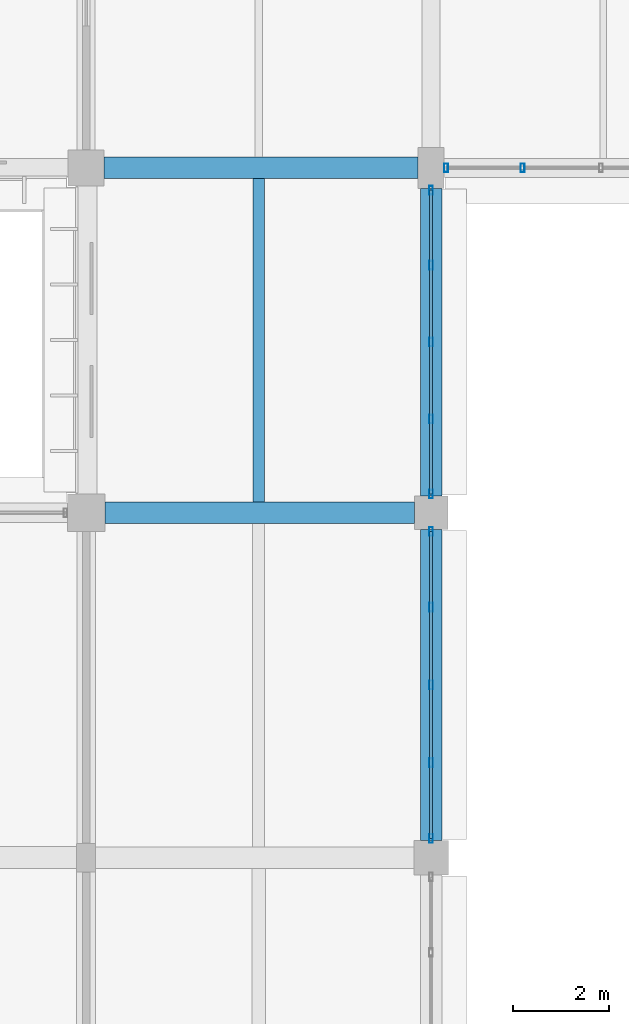
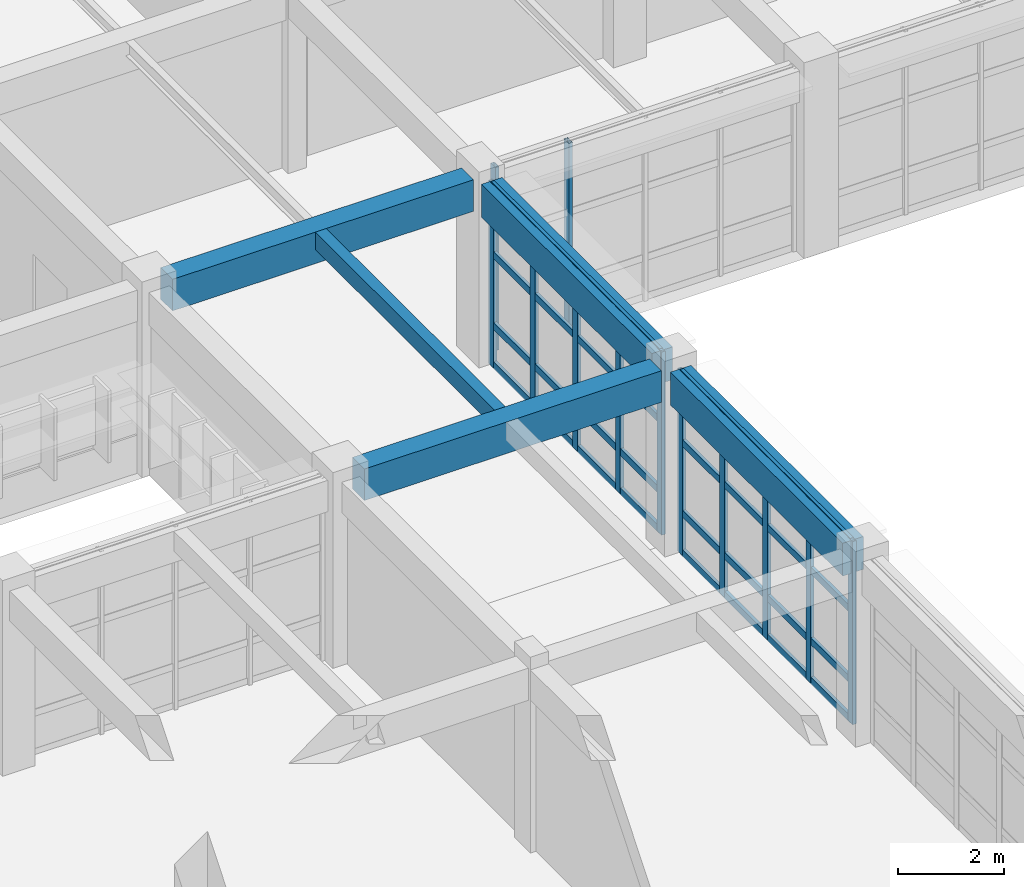
# One storey, part 53 of 171: 20 members, 5 beams, 3 elements without a shape of their own.
"""IFC4 building model written with IfcOpenShell, lengths in metres."""

from ifc_helpers import new_model, si_unit, direction, frame, origin, origin_2d, place, context, subcontext, project, spatial, rectangle, hollow_rectangle, extrude, material, material_profile, profile_set, type_object, element, aggregate, save


model = new_model("IFC4")

# Units and contexts
model_context = context("Model", 3, precision=1e-05, world=origin(), true_north=direction((0.0, 1.0)))
body_context = subcontext(model_context, "Body", "Model", "MODEL_VIEW")
ifc_project = project(units=[si_unit("LENGTHUNIT", "METRE"), si_unit("AREAUNIT", "SQUARE_METRE"), si_unit("VOLUMEUNIT", "CUBIC_METRE"), si_unit("PLANEANGLEUNIT", "RADIAN"), si_unit("MASSUNIT", "GRAM", prefix="KILO")], contexts=[model_context])

# Site, building, storey
site_placement = place(None, origin())
site = spatial("IfcSite", under=ifc_project, at=site_placement, CompositionType="ELEMENT")
building_placement = place(site_placement, origin())
building = spatial("IfcBuilding", under=site, at=building_placement, Name="Thalmaran Polytechnic", CompositionType="ELEMENT")
storey_placement = place(building_placement, frame((0.0, 0.0, 5.39990234375)))
storey = spatial("IfcBuildingStorey", under=building, at=storey_placement, Name="L01", CompositionType="ELEMENT", Elevation=5.39990234375)

# Beams
ifc_material_1 = material(Name="Concrete C40/50", Category="concrete")
ifc_material_profile_1 = material_profile(ifc_material_1, rectangle(XDim=0.449951171875, YDim=0.72509765625, at=origin_2d()), Name="RC 450x725")
ifc_profile_set_1 = profile_set([ifc_material_profile_1], Name="Concrete C40/50")
beam_type_1 = type_object("IfcBeamType", Name="BM-RC04", PredefinedType="BEAM", material=ifc_profile_set_1)
beam_1_placement = place(storey_placement, frame((14.7900390625, 86.39990234375, 3.84765625), z_axis=(1.0, 0.0, 0.0), x_axis=(0.0, 1.0, 0.0)))
element("IfcBeam", 1, at=beam_1_placement, inside=storey, type_object=beam_type_1, Name="Grid Beam B04 L01 X(2,12)", PredefinedType="BEAM", context=body_context, shape_type="SweptSolid", body=[
    extrude(rectangle(XDim=0.449951171875, YDim=0.72509765625, at=origin_2d()), origin(), (0.0, 0.0, 1.0), 6.4599609375),
])
beam_2_placement = place(storey_placement, frame((14.77490234375, 93.60009765625, 3.84765625), z_axis=(1.0, 0.0, 0.0), x_axis=(0.0, 1.0, 0.0)))
element("IfcBeam", 2, at=beam_2_placement, inside=storey, type_object=beam_type_1, Name="Grid Beam B04 L01 X(2,13)", PredefinedType="BEAM", context=body_context, shape_type="SweptSolid", body=[
    extrude(rectangle(XDim=0.449951171875, YDim=0.72509765625, at=origin_2d()), origin(), (0.0, 0.0, 1.0), 6.550048828125),
])
ifc_material_profile_2 = material_profile(ifc_material_1, rectangle(XDim=0.449951171875, YDim=0.7548828125, at=origin_2d()), Name="RC 450x755")
ifc_profile_set_2 = profile_set([ifc_material_profile_2], Name="Concrete C40/50")
beam_type_2 = type_object("IfcBeamType", Name="BM-SP02", PredefinedType="SPANDREL", material=ifc_profile_set_2)
beam_3_placement = place(storey_placement, frame((21.60009765625, 79.56005859375, 3.83251953125), z_axis=(0.0, 1.0, 0.0), x_axis=(-1.0, 0.0, 0.0)))
element("IfcBeam", 3, at=beam_3_placement, inside=storey, type_object=beam_type_2, Name="Grid Beam SP02 L01 Y(3,11)", PredefinedType="SPANDREL", context=body_context, shape_type="SweptSolid", body=[
    extrude(rectangle(XDim=0.449951171875, YDim=0.7548828125, at=origin_2d()), origin(), (0.0, 0.0, 1.0), 6.489990234375),
])
beam_4_placement = place(storey_placement, frame((21.60009765625, 86.75, 3.83251953125), z_axis=(0.0, 1.0, 0.0), x_axis=(-1.0, 0.0, 0.0)))
element("IfcBeam", 4, at=beam_4_placement, inside=storey, type_object=beam_type_2, Name="Grid Beam SP02 L01 Y(3,12)", PredefinedType="SPANDREL", context=body_context, shape_type="SweptSolid", body=[
    extrude(rectangle(XDim=0.449951171875, YDim=0.7548828125, at=origin_2d()), origin(), (0.0, 0.0, 1.0), 6.425048828125),
])
ifc_material_profile_3 = material_profile(ifc_material_1, rectangle(XDim=0.239990234375, YDim=0.39990234375, at=origin_2d()), Name="RC 240x400")
ifc_profile_set_3 = profile_set([ifc_material_profile_3], Name="Concrete C40/50")
beam_type_3 = type_object("IfcBeamType", Name="BM-ZJ04", PredefinedType="JOIST", material=ifc_profile_set_3)
beam_5_placement = place(storey_placement, frame((18.0, 86.625, 4.010009765625), z_axis=(0.0, 1.0, 0.0), x_axis=(-1.0, 0.0, 0.0)))
element("IfcBeam", 5, at=beam_5_placement, inside=storey, type_object=beam_type_3, Name="Secondary Floor Rib ZJ04 L01 (2,12)", PredefinedType="JOIST", context=body_context, shape_type="SweptSolid", body=[
    extrude(rectangle(XDim=0.239990234375, YDim=0.39990234375, at=origin_2d()), origin(), (0.0, 0.0, 1.0), 6.75),
])

# Curtain wall, members
ifc_material_2 = material(Name="Aluminium 6063-T6", Category="aluminium")
curtain_wall_type = type_object("IfcCurtainWallType", Name="CW-UC02", PredefinedType="USERDEFINED", material=ifc_material_2)
curtain_wall_1_placement = place(storey_placement, origin())
curtain_wall_1 = element("IfcCurtainWall", 6, at=curtain_wall_1_placement, inside=storey, type_object=curtain_wall_type, Name="Curtain Wall CW-L01-135", ObjectType="UNITISED CURTAIN WALL", PredefinedType="USERDEFINED")
ifc_material_profile_4 = material_profile(ifc_material_2, hollow_rectangle(XDim=0.080078125, YDim=0.179931640625, WallThickness=0.0048828125, at=origin_2d()), Name="RHS 180x80x5.0")
ifc_profile_set_4 = profile_set([ifc_material_profile_4], Name="Aluminium 6063-T6")
member_type_1 = type_object("IfcMemberType", Name="CW-MUL1", PredefinedType="MULLION", material=ifc_profile_set_4)
member_1_placement = place(storey_placement, frame((23.512451171875, 93.60009765625, 0.0), z_axis=(0.0, 0.0, 1.0), x_axis=(1.0, 0.0, 0.0)))
member_1 = element("IfcMember", 7, at=member_1_placement, type_object=member_type_1, Name="CW-L01-135 Mullion 4", PredefinedType="MULLION", context=body_context, shape_type="SweptSolid", body=[
    extrude(hollow_rectangle(XDim=0.080078125, YDim=0.179931640625, WallThickness=0.0048828125, at=origin_2d()), origin(), (0.0, 0.0, 1.0), 4.210205078125),
])
member_2_placement = place(storey_placement, frame((21.9150390625, 93.60009765625, 0.0), z_axis=(0.0, 0.0, 1.0), x_axis=(1.0, 0.0, 0.0)))
member_2 = element("IfcMember", 8, at=member_2_placement, type_object=member_type_1, Name="CW-L01-135 Mullion 5", PredefinedType="MULLION", context=body_context, shape_type="SweptSolid", body=[
    extrude(hollow_rectangle(XDim=0.080078125, YDim=0.179931640625, WallThickness=0.0048828125, at=origin_2d()), origin(), (0.0, 0.0, 1.0), 4.210205078125),
])
aggregate(curtain_wall_1, [member_1, member_2])

curtain_wall_2_placement = place(storey_placement, origin())
curtain_wall_2 = element("IfcCurtainWall", 9, at=curtain_wall_2_placement, inside=storey, type_object=curtain_wall_type, Name="Curtain Wall CW-L01-136", ObjectType="UNITISED CURTAIN WALL", PredefinedType="USERDEFINED")
member_3_placement = place(storey_placement, frame((21.60009765625, 93.135009765625, 0.0), z_axis=(0.0, 0.0, 1.0), x_axis=(1.0, 0.0, 0.0)))
member_3 = element("IfcMember", 10, at=member_3_placement, type_object=member_type_1, Name="CW-L01-136 Mullion 1", PredefinedType="MULLION", context=body_context, shape_type="SweptSolid", body=[
    extrude(hollow_rectangle(XDim=0.080078125, YDim=0.179931640625, WallThickness=0.0048828125, at=origin_2d()), origin(), (0.0, 0.0, 1.0), 4.210205078125),
])
member_4_placement = place(storey_placement, frame((21.60009765625, 91.56884765625, 0.0), z_axis=(0.0, 0.0, 1.0), x_axis=(1.0, 0.0, 0.0)))
member_4 = element("IfcMember", 11, at=member_4_placement, type_object=member_type_1, Name="CW-L01-136 Mullion 2", PredefinedType="MULLION", context=body_context, shape_type="SweptSolid", body=[
    extrude(hollow_rectangle(XDim=0.080078125, YDim=0.179931640625, WallThickness=0.0048828125, at=origin_2d()), origin(), (0.0, 0.0, 1.0), 4.210205078125),
])
member_5_placement = place(storey_placement, frame((21.60009765625, 89.96240234375, 0.0), z_axis=(0.0, 0.0, 1.0), x_axis=(1.0, 0.0, 0.0)))
member_5 = element("IfcMember", 12, at=member_5_placement, type_object=member_type_1, Name="CW-L01-136 Mullion 3", PredefinedType="MULLION", context=body_context, shape_type="SweptSolid", body=[
    extrude(hollow_rectangle(XDim=0.080078125, YDim=0.179931640625, WallThickness=0.0048828125, at=origin_2d()), origin(), (0.0, 0.0, 1.0), 4.210205078125),
])
member_6_placement = place(storey_placement, frame((21.60009765625, 88.356201171875, 0.0), z_axis=(0.0, 0.0, 1.0), x_axis=(1.0, 0.0, 0.0)))
member_6 = element("IfcMember", 13, at=member_6_placement, type_object=member_type_1, Name="CW-L01-136 Mullion 4", PredefinedType="MULLION", context=body_context, shape_type="SweptSolid", body=[
    extrude(hollow_rectangle(XDim=0.080078125, YDim=0.179931640625, WallThickness=0.0048828125, at=origin_2d()), origin(), (0.0, 0.0, 1.0), 4.210205078125),
])
member_7_placement = place(storey_placement, frame((21.60009765625, 86.7900390625, 0.0), z_axis=(0.0, 0.0, 1.0), x_axis=(1.0, 0.0, 0.0)))
member_7 = element("IfcMember", 14, at=member_7_placement, type_object=member_type_1, Name="CW-L01-136 Mullion 5", PredefinedType="MULLION", context=body_context, shape_type="SweptSolid", body=[
    extrude(hollow_rectangle(XDim=0.080078125, YDim=0.179931640625, WallThickness=0.0048828125, at=origin_2d()), origin(), (0.0, 0.0, 1.0), 4.210205078125),
])

curtain_wall_3_placement = place(storey_placement, origin())
curtain_wall_3 = element("IfcCurtainWall", 15, at=curtain_wall_3_placement, inside=storey, type_object=curtain_wall_type, Name="Curtain Wall CW-L01-137", ObjectType="UNITISED CURTAIN WALL", PredefinedType="USERDEFINED")
member_8_placement = place(storey_placement, frame((21.60009765625, 86.010009765625, 0.0), z_axis=(0.0, 0.0, 1.0), x_axis=(1.0, 0.0, 0.0)))
member_8 = element("IfcMember", 16, at=member_8_placement, type_object=member_type_1, Name="CW-L01-137 Mullion 1", PredefinedType="MULLION", context=body_context, shape_type="SweptSolid", body=[
    extrude(hollow_rectangle(XDim=0.080078125, YDim=0.179931640625, WallThickness=0.0048828125, at=origin_2d()), origin(), (0.0, 0.0, 1.0), 4.210205078125),
])
member_9_placement = place(storey_placement, frame((21.60009765625, 84.427490234375, 0.0), z_axis=(0.0, 0.0, 1.0), x_axis=(1.0, 0.0, 0.0)))
member_9 = element("IfcMember", 17, at=member_9_placement, type_object=member_type_1, Name="CW-L01-137 Mullion 2", PredefinedType="MULLION", context=body_context, shape_type="SweptSolid", body=[
    extrude(hollow_rectangle(XDim=0.080078125, YDim=0.179931640625, WallThickness=0.0048828125, at=origin_2d()), origin(), (0.0, 0.0, 1.0), 4.210205078125),
])
member_10_placement = place(storey_placement, frame((21.60009765625, 82.804931640625, 0.0), z_axis=(0.0, 0.0, 1.0), x_axis=(1.0, 0.0, 0.0)))
member_10 = element("IfcMember", 18, at=member_10_placement, type_object=member_type_1, Name="CW-L01-137 Mullion 3", PredefinedType="MULLION", context=body_context, shape_type="SweptSolid", body=[
    extrude(hollow_rectangle(XDim=0.080078125, YDim=0.179931640625, WallThickness=0.0048828125, at=origin_2d()), origin(), (0.0, 0.0, 1.0), 4.210205078125),
])
member_11_placement = place(storey_placement, frame((21.60009765625, 81.1826171875, 0.0), z_axis=(0.0, 0.0, 1.0), x_axis=(1.0, 0.0, 0.0)))
member_11 = element("IfcMember", 19, at=member_11_placement, type_object=member_type_1, Name="CW-L01-137 Mullion 4", PredefinedType="MULLION", context=body_context, shape_type="SweptSolid", body=[
    extrude(hollow_rectangle(XDim=0.080078125, YDim=0.179931640625, WallThickness=0.0048828125, at=origin_2d()), origin(), (0.0, 0.0, 1.0), 4.210205078125),
])
member_12_placement = place(storey_placement, frame((21.60009765625, 79.60009765625, 0.0), z_axis=(0.0, 0.0, 1.0), x_axis=(1.0, 0.0, 0.0)))
member_12 = element("IfcMember", 20, at=member_12_placement, type_object=member_type_1, Name="CW-L01-137 Mullion 5", PredefinedType="MULLION", context=body_context, shape_type="SweptSolid", body=[
    extrude(hollow_rectangle(XDim=0.080078125, YDim=0.179931640625, WallThickness=0.0048828125, at=origin_2d()), origin(), (0.0, 0.0, 1.0), 4.210205078125),
])

# Member
ifc_material_profile_5 = material_profile(ifc_material_2, hollow_rectangle(XDim=0.070068359375, YDim=0.159912109375, WallThickness=0.00390625, at=origin_2d()), Name="AL 160x70x4.0")
ifc_profile_set_5 = profile_set([ifc_material_profile_5], Name="Aluminium 6063-T6")
member_type_2 = type_object("IfcMemberType", Name="CW-TRN1", PredefinedType="USERDEFINED", material=ifc_profile_set_5)
member_13_placement = place(storey_placement, frame((21.60009765625, 93.135009765625, 0.06005859375), z_axis=(0.0, -1.0, 0.0), x_axis=(1.0, 0.0, 0.0)))
member_13 = element("IfcMember", 21, at=member_13_placement, type_object=member_type_2, Name="CW-L01-136 Transom 1", ObjectType="TRANSOM", PredefinedType="USERDEFINED", context=body_context, shape_type="SweptSolid", body=[
    extrude(hollow_rectangle(XDim=0.070068359375, YDim=0.159912109375, WallThickness=0.00390625, at=origin_2d()), origin(), (0.0, 0.0, 1.0), 6.344970703125),
])

member_14_placement = place(storey_placement, frame((21.60009765625, 93.135009765625, 0.960205078125), z_axis=(0.0, -1.0, 0.0), x_axis=(1.0, 0.0, 0.0)))
member_14 = element("IfcMember", 22, at=member_14_placement, type_object=member_type_2, Name="CW-L01-136 Transom 2", ObjectType="TRANSOM", PredefinedType="USERDEFINED", context=body_context, shape_type="SweptSolid", body=[
    extrude(hollow_rectangle(XDim=0.070068359375, YDim=0.159912109375, WallThickness=0.00390625, at=origin_2d()), origin(), (0.0, 0.0, 1.0), 6.344970703125),
])

member_15_placement = place(storey_placement, frame((21.60009765625, 93.135009765625, 2.585205078125), z_axis=(0.0, -1.0, 0.0), x_axis=(1.0, 0.0, 0.0)))
member_15 = element("IfcMember", 23, at=member_15_placement, type_object=member_type_2, Name="CW-L01-136 Transom 3", ObjectType="TRANSOM", PredefinedType="USERDEFINED", context=body_context, shape_type="SweptSolid", body=[
    extrude(hollow_rectangle(XDim=0.070068359375, YDim=0.159912109375, WallThickness=0.00390625, at=origin_2d()), origin(), (0.0, 0.0, 1.0), 6.344970703125),
])

member_16_placement = place(storey_placement, frame((21.60009765625, 93.135009765625, 4.150146484375), z_axis=(0.0, -1.0, 0.0), x_axis=(1.0, 0.0, 0.0)))
member_16 = element("IfcMember", 24, at=member_16_placement, type_object=member_type_2, Name="CW-L01-136 Transom 4", ObjectType="TRANSOM", PredefinedType="USERDEFINED", context=body_context, shape_type="SweptSolid", body=[
    extrude(hollow_rectangle(XDim=0.070068359375, YDim=0.159912109375, WallThickness=0.00390625, at=origin_2d()), origin(), (0.0, 0.0, 1.0), 6.344970703125),
])

aggregate(curtain_wall_2, [member_3, member_4, member_5, member_6, member_7, member_13, member_14, member_15, member_16])

member_17_placement = place(storey_placement, frame((21.60009765625, 86.010009765625, 0.06005859375), z_axis=(0.0, -1.0, 0.0), x_axis=(1.0, 0.0, 0.0)))
member_17 = element("IfcMember", 25, at=member_17_placement, type_object=member_type_2, Name="CW-L01-137 Transom 1", ObjectType="TRANSOM", PredefinedType="USERDEFINED", context=body_context, shape_type="SweptSolid", body=[
    extrude(hollow_rectangle(XDim=0.070068359375, YDim=0.159912109375, WallThickness=0.00390625, at=origin_2d()), origin(), (0.0, 0.0, 1.0), 6.409912109375),
])

member_18_placement = place(storey_placement, frame((21.60009765625, 86.010009765625, 0.960205078125), z_axis=(0.0, -1.0, 0.0), x_axis=(1.0, 0.0, 0.0)))
member_18 = element("IfcMember", 26, at=member_18_placement, type_object=member_type_2, Name="CW-L01-137 Transom 2", ObjectType="TRANSOM", PredefinedType="USERDEFINED", context=body_context, shape_type="SweptSolid", body=[
    extrude(hollow_rectangle(XDim=0.070068359375, YDim=0.159912109375, WallThickness=0.00390625, at=origin_2d()), origin(), (0.0, 0.0, 1.0), 6.409912109375),
])

member_19_placement = place(storey_placement, frame((21.60009765625, 86.010009765625, 2.585205078125), z_axis=(0.0, -1.0, 0.0), x_axis=(1.0, 0.0, 0.0)))
member_19 = element("IfcMember", 27, at=member_19_placement, type_object=member_type_2, Name="CW-L01-137 Transom 3", ObjectType="TRANSOM", PredefinedType="USERDEFINED", context=body_context, shape_type="SweptSolid", body=[
    extrude(hollow_rectangle(XDim=0.070068359375, YDim=0.159912109375, WallThickness=0.00390625, at=origin_2d()), origin(), (0.0, 0.0, 1.0), 6.409912109375),
])

member_20_placement = place(storey_placement, frame((21.60009765625, 86.010009765625, 4.150146484375), z_axis=(0.0, -1.0, 0.0), x_axis=(1.0, 0.0, 0.0)))
member_20 = element("IfcMember", 28, at=member_20_placement, type_object=member_type_2, Name="CW-L01-137 Transom 4", ObjectType="TRANSOM", PredefinedType="USERDEFINED", context=body_context, shape_type="SweptSolid", body=[
    extrude(hollow_rectangle(XDim=0.070068359375, YDim=0.159912109375, WallThickness=0.00390625, at=origin_2d()), origin(), (0.0, 0.0, 1.0), 6.409912109375),
])

aggregate(curtain_wall_3, [member_8, member_9, member_10, member_11, member_12, member_17, member_18, member_19, member_20])

save(model, "model.ifc")
